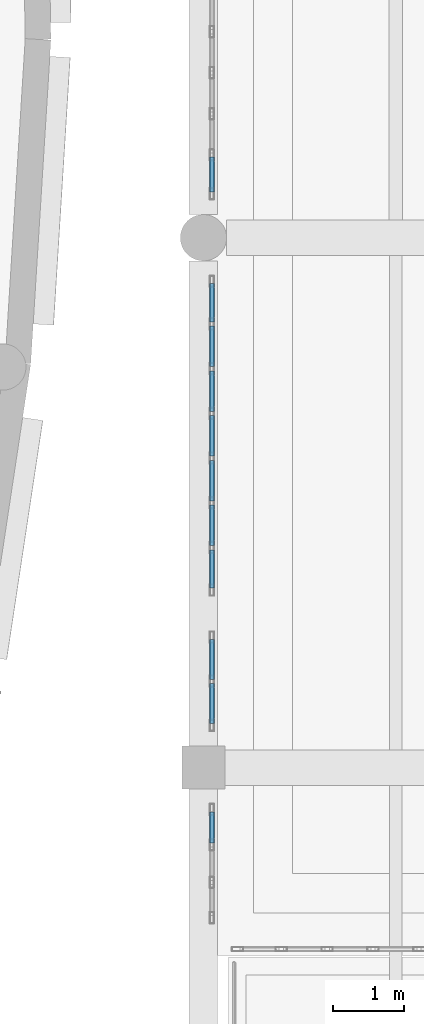
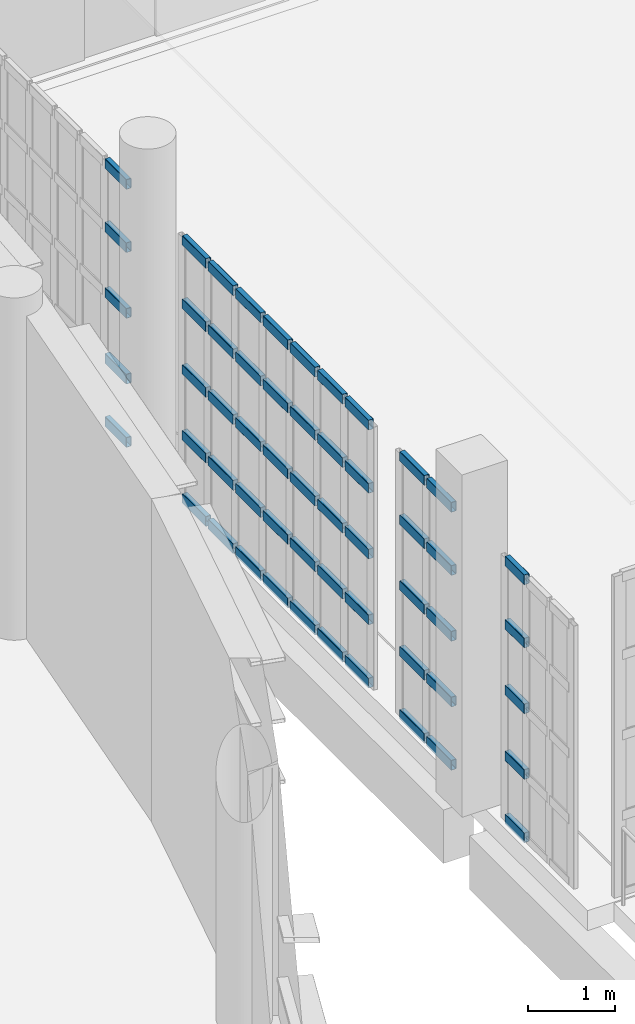
# One storey, part 60 of 104: 55 members, 4 elements without a shape of their own.
"""IFC4 building model written with IfcOpenShell, lengths in metres."""

from ifc_helpers import new_model, si_unit, direction, frame, origin, origin_2d, place, context, subcontext, project, spatial, hollow_rectangle, extrude, material, material_profile, profile_set, type_object, element, aggregate, save


model = new_model("IFC4")

# Units and contexts
model_context = context("Model", 3, precision=1e-05, world=origin(), true_north=direction((0.0, 1.0)))
body_context = subcontext(model_context, "Body", "Model", "MODEL_VIEW")
ifc_project = project(units=[si_unit("LENGTHUNIT", "METRE"), si_unit("AREAUNIT", "SQUARE_METRE"), si_unit("VOLUMEUNIT", "CUBIC_METRE"), si_unit("PLANEANGLEUNIT", "RADIAN"), si_unit("MASSUNIT", "GRAM", prefix="KILO")], contexts=[model_context])

# Site, building, storey
site_placement = place(None, origin())
site = spatial("IfcSite", under=ifc_project, at=site_placement, CompositionType="ELEMENT")
building_placement = place(site_placement, origin())
building = spatial("IfcBuilding", under=site, at=building_placement, Name="Kaelora Sail Theatre", CompositionType="ELEMENT")
storey_placement = place(building_placement, frame((0.0, 0.0, 5.39990234375)))
storey = spatial("IfcBuildingStorey", under=building, at=storey_placement, Name="L01", CompositionType="ELEMENT", Elevation=5.39990234375)

# Curtain wall, members
ifc_material_1 = material(Name="Anodised aluminium and solar-control low-E IGU", Category="aluminium")
curtain_wall_type = type_object("IfcCurtainWallType", Name="ARC-CW-CW-PROW", PredefinedType="NOTDEFINED", material=ifc_material_1)
curtain_wall_1_placement = place(storey_placement, origin())
curtain_wall_1 = element("IfcCurtainWall", 1, at=curtain_wall_1_placement, inside=storey, type_object=curtain_wall_type, Name="East Interstitial Foyer West Glazed Return L01-01", PredefinedType="NOTDEFINED")
ifc_material_2 = material(Name="Anodised aluminium 6063-T6", Category="aluminium")
ifc_material_profile = material_profile(ifc_material_2, hollow_rectangle(XDim=0.070068359375, YDim=0.139892578125, WallThickness=0.00390625, InnerFilletRadius=0.00390625, OuterFilletRadius=0.008056640625, at=origin_2d()), Name="ALU-TRAN 70x140x4")
ifc_profile_set = profile_set([ifc_material_profile], Name="Anodised aluminium 6063-T6")
member_type = type_object("IfcMemberType", Name="ARC-MEM-TR-140", PredefinedType="USERDEFINED", material=ifc_profile_set)
member_1_placement = place(storey_placement, frame((106.919921875, 45.083251953125, 0.03515625), z_axis=(0.0, 1.0, 0.0), x_axis=(-1.0, 0.0, 0.0)))
member_1 = element("IfcMember", 2, at=member_1_placement, type_object=member_type, Name="CW-PROW transom 3.1", ObjectType="TRANSOM", PredefinedType="USERDEFINED", context=body_context, shape_type="SweptSolid", body=[
    extrude(hollow_rectangle(XDim=0.070068359375, YDim=0.139892578125, WallThickness=0.00390625, InnerFilletRadius=0.00390625, OuterFilletRadius=0.008056640625, at=origin_2d()), origin(), (0.0, 0.0, 1.0), 0.436767578125),
])
member_2_placement = place(storey_placement, frame((106.919921875, 45.083251953125, 0.921875), z_axis=(0.0, 1.0, 0.0), x_axis=(-1.0, 0.0, 0.0)))
member_2 = element("IfcMember", 3, at=member_2_placement, type_object=member_type, Name="CW-PROW transom 3.2", ObjectType="TRANSOM", PredefinedType="USERDEFINED", context=body_context, shape_type="SweptSolid", body=[
    extrude(hollow_rectangle(XDim=0.070068359375, YDim=0.139892578125, WallThickness=0.00390625, InnerFilletRadius=0.00390625, OuterFilletRadius=0.008056640625, at=origin_2d()), origin(), (0.0, 0.0, 1.0), 0.436767578125),
])
member_3_placement = place(storey_placement, frame((106.919921875, 45.083251953125, 1.843505859375), z_axis=(0.0, 1.0, 0.0), x_axis=(-1.0, 0.0, 0.0)))
member_3 = element("IfcMember", 4, at=member_3_placement, type_object=member_type, Name="CW-PROW transom 3.3", ObjectType="TRANSOM", PredefinedType="USERDEFINED", context=body_context, shape_type="SweptSolid", body=[
    extrude(hollow_rectangle(XDim=0.070068359375, YDim=0.139892578125, WallThickness=0.00390625, InnerFilletRadius=0.00390625, OuterFilletRadius=0.008056640625, at=origin_2d()), origin(), (0.0, 0.0, 1.0), 0.436767578125),
])
member_4_placement = place(storey_placement, frame((106.919921875, 45.083251953125, 2.765380859375), z_axis=(0.0, 1.0, 0.0), x_axis=(-1.0, 0.0, 0.0)))
member_4 = element("IfcMember", 5, at=member_4_placement, type_object=member_type, Name="CW-PROW transom 3.4", ObjectType="TRANSOM", PredefinedType="USERDEFINED", context=body_context, shape_type="SweptSolid", body=[
    extrude(hollow_rectangle(XDim=0.070068359375, YDim=0.139892578125, WallThickness=0.00390625, InnerFilletRadius=0.00390625, OuterFilletRadius=0.008056640625, at=origin_2d()), origin(), (0.0, 0.0, 1.0), 0.436767578125),
])
member_5_placement = place(storey_placement, frame((106.919921875, 45.083251953125, 3.652099609375), z_axis=(0.0, 1.0, 0.0), x_axis=(-1.0, 0.0, 0.0)))
member_5 = element("IfcMember", 6, at=member_5_placement, type_object=member_type, Name="CW-PROW transom 3.5", ObjectType="TRANSOM", PredefinedType="USERDEFINED", context=body_context, shape_type="SweptSolid", body=[
    extrude(hollow_rectangle(XDim=0.070068359375, YDim=0.139892578125, WallThickness=0.00390625, InnerFilletRadius=0.00390625, OuterFilletRadius=0.008056640625, at=origin_2d()), origin(), (0.0, 0.0, 1.0), 0.436767578125),
])
aggregate(curtain_wall_1, [member_1, member_2, member_3, member_4, member_5])

curtain_wall_2_placement = place(storey_placement, origin())
curtain_wall_2 = element("IfcCurtainWall", 7, at=curtain_wall_2_placement, inside=storey, type_object=curtain_wall_type, Name="East Interstitial Foyer West Glazed Return L01-01", PredefinedType="NOTDEFINED")
member_6_placement = place(storey_placement, frame((106.919921875, 46.760009765625, 0.03515625), z_axis=(0.0, 1.0, 0.0), x_axis=(-1.0, 0.0, 0.0)))
member_6 = element("IfcMember", 8, at=member_6_placement, type_object=member_type, Name="CW-PROW transom 1.1", ObjectType="TRANSOM", PredefinedType="USERDEFINED", context=body_context, shape_type="SweptSolid", body=[
    extrude(hollow_rectangle(XDim=0.070068359375, YDim=0.139892578125, WallThickness=0.00390625, InnerFilletRadius=0.00390625, OuterFilletRadius=0.008056640625, at=origin_2d()), origin(), (0.0, 0.0, 1.0), 0.56005859375),
])
member_7_placement = place(storey_placement, frame((106.919921875, 46.760009765625, 0.921875), z_axis=(0.0, 1.0, 0.0), x_axis=(-1.0, 0.0, 0.0)))
member_7 = element("IfcMember", 9, at=member_7_placement, type_object=member_type, Name="CW-PROW transom 1.2", ObjectType="TRANSOM", PredefinedType="USERDEFINED", context=body_context, shape_type="SweptSolid", body=[
    extrude(hollow_rectangle(XDim=0.070068359375, YDim=0.139892578125, WallThickness=0.00390625, InnerFilletRadius=0.00390625, OuterFilletRadius=0.008056640625, at=origin_2d()), origin(), (0.0, 0.0, 1.0), 0.56005859375),
])
member_8_placement = place(storey_placement, frame((106.919921875, 46.760009765625, 1.843505859375), z_axis=(0.0, 1.0, 0.0), x_axis=(-1.0, 0.0, 0.0)))
member_8 = element("IfcMember", 10, at=member_8_placement, type_object=member_type, Name="CW-PROW transom 1.3", ObjectType="TRANSOM", PredefinedType="USERDEFINED", context=body_context, shape_type="SweptSolid", body=[
    extrude(hollow_rectangle(XDim=0.070068359375, YDim=0.139892578125, WallThickness=0.00390625, InnerFilletRadius=0.00390625, OuterFilletRadius=0.008056640625, at=origin_2d()), origin(), (0.0, 0.0, 1.0), 0.56005859375),
])
member_9_placement = place(storey_placement, frame((106.919921875, 46.760009765625, 2.765380859375), z_axis=(0.0, 1.0, 0.0), x_axis=(-1.0, 0.0, 0.0)))
member_9 = element("IfcMember", 11, at=member_9_placement, type_object=member_type, Name="CW-PROW transom 1.4", ObjectType="TRANSOM", PredefinedType="USERDEFINED", context=body_context, shape_type="SweptSolid", body=[
    extrude(hollow_rectangle(XDim=0.070068359375, YDim=0.139892578125, WallThickness=0.00390625, InnerFilletRadius=0.00390625, OuterFilletRadius=0.008056640625, at=origin_2d()), origin(), (0.0, 0.0, 1.0), 0.56005859375),
])
member_10_placement = place(storey_placement, frame((106.919921875, 46.760009765625, 3.652099609375), z_axis=(0.0, 1.0, 0.0), x_axis=(-1.0, 0.0, 0.0)))
member_10 = element("IfcMember", 12, at=member_10_placement, type_object=member_type, Name="CW-PROW transom 1.5", ObjectType="TRANSOM", PredefinedType="USERDEFINED", context=body_context, shape_type="SweptSolid", body=[
    extrude(hollow_rectangle(XDim=0.070068359375, YDim=0.139892578125, WallThickness=0.00390625, InnerFilletRadius=0.00390625, OuterFilletRadius=0.008056640625, at=origin_2d()), origin(), (0.0, 0.0, 1.0), 0.56005859375),
])
member_11_placement = place(storey_placement, frame((106.919921875, 47.3798828125, 0.03515625), z_axis=(0.0, 1.0, 0.0), x_axis=(-1.0, 0.0, 0.0)))
member_11 = element("IfcMember", 13, at=member_11_placement, type_object=member_type, Name="CW-PROW transom 2.1", ObjectType="TRANSOM", PredefinedType="USERDEFINED", context=body_context, shape_type="SweptSolid", body=[
    extrude(hollow_rectangle(XDim=0.070068359375, YDim=0.139892578125, WallThickness=0.00390625, InnerFilletRadius=0.00390625, OuterFilletRadius=0.008056640625, at=origin_2d()), origin(), (0.0, 0.0, 1.0), 0.56005859375),
])
member_12_placement = place(storey_placement, frame((106.919921875, 47.3798828125, 0.921875), z_axis=(0.0, 1.0, 0.0), x_axis=(-1.0, 0.0, 0.0)))
member_12 = element("IfcMember", 14, at=member_12_placement, type_object=member_type, Name="CW-PROW transom 2.2", ObjectType="TRANSOM", PredefinedType="USERDEFINED", context=body_context, shape_type="SweptSolid", body=[
    extrude(hollow_rectangle(XDim=0.070068359375, YDim=0.139892578125, WallThickness=0.00390625, InnerFilletRadius=0.00390625, OuterFilletRadius=0.008056640625, at=origin_2d()), origin(), (0.0, 0.0, 1.0), 0.56005859375),
])
member_13_placement = place(storey_placement, frame((106.919921875, 47.3798828125, 1.843505859375), z_axis=(0.0, 1.0, 0.0), x_axis=(-1.0, 0.0, 0.0)))
member_13 = element("IfcMember", 15, at=member_13_placement, type_object=member_type, Name="CW-PROW transom 2.3", ObjectType="TRANSOM", PredefinedType="USERDEFINED", context=body_context, shape_type="SweptSolid", body=[
    extrude(hollow_rectangle(XDim=0.070068359375, YDim=0.139892578125, WallThickness=0.00390625, InnerFilletRadius=0.00390625, OuterFilletRadius=0.008056640625, at=origin_2d()), origin(), (0.0, 0.0, 1.0), 0.56005859375),
])
member_14_placement = place(storey_placement, frame((106.919921875, 47.3798828125, 2.765380859375), z_axis=(0.0, 1.0, 0.0), x_axis=(-1.0, 0.0, 0.0)))
member_14 = element("IfcMember", 16, at=member_14_placement, type_object=member_type, Name="CW-PROW transom 2.4", ObjectType="TRANSOM", PredefinedType="USERDEFINED", context=body_context, shape_type="SweptSolid", body=[
    extrude(hollow_rectangle(XDim=0.070068359375, YDim=0.139892578125, WallThickness=0.00390625, InnerFilletRadius=0.00390625, OuterFilletRadius=0.008056640625, at=origin_2d()), origin(), (0.0, 0.0, 1.0), 0.56005859375),
])
member_15_placement = place(storey_placement, frame((106.919921875, 47.3798828125, 3.652099609375), z_axis=(0.0, 1.0, 0.0), x_axis=(-1.0, 0.0, 0.0)))
member_15 = element("IfcMember", 17, at=member_15_placement, type_object=member_type, Name="CW-PROW transom 2.5", ObjectType="TRANSOM", PredefinedType="USERDEFINED", context=body_context, shape_type="SweptSolid", body=[
    extrude(hollow_rectangle(XDim=0.070068359375, YDim=0.139892578125, WallThickness=0.00390625, InnerFilletRadius=0.00390625, OuterFilletRadius=0.008056640625, at=origin_2d()), origin(), (0.0, 0.0, 1.0), 0.56005859375),
])
aggregate(curtain_wall_2, [member_6, member_7, member_8, member_9, member_10, member_11, member_12, member_13, member_14, member_15])

curtain_wall_3_placement = place(storey_placement, origin())
curtain_wall_3 = element("IfcCurtainWall", 18, at=curtain_wall_3_placement, inside=storey, type_object=curtain_wall_type, Name="East Interstitial Foyer West Glazed Return L01-02", PredefinedType="NOTDEFINED")
member_16_placement = place(storey_placement, frame((106.919921875, 48.659912109375, 0.03515625), z_axis=(0.0, 1.0, 0.0), x_axis=(-1.0, 0.0, 0.0)))
member_16 = element("IfcMember", 19, at=member_16_placement, type_object=member_type, Name="CW-PROW transom 1.1", ObjectType="TRANSOM", PredefinedType="USERDEFINED", context=body_context, shape_type="SweptSolid", body=[
    extrude(hollow_rectangle(XDim=0.070068359375, YDim=0.139892578125, WallThickness=0.00390625, InnerFilletRadius=0.00390625, OuterFilletRadius=0.008056640625, at=origin_2d()), origin(), (0.0, 0.0, 1.0), 0.537841796875),
])
member_17_placement = place(storey_placement, frame((106.919921875, 48.659912109375, 0.921875), z_axis=(0.0, 1.0, 0.0), x_axis=(-1.0, 0.0, 0.0)))
member_17 = element("IfcMember", 20, at=member_17_placement, type_object=member_type, Name="CW-PROW transom 1.2", ObjectType="TRANSOM", PredefinedType="USERDEFINED", context=body_context, shape_type="SweptSolid", body=[
    extrude(hollow_rectangle(XDim=0.070068359375, YDim=0.139892578125, WallThickness=0.00390625, InnerFilletRadius=0.00390625, OuterFilletRadius=0.008056640625, at=origin_2d()), origin(), (0.0, 0.0, 1.0), 0.537841796875),
])
member_18_placement = place(storey_placement, frame((106.919921875, 48.659912109375, 1.843505859375), z_axis=(0.0, 1.0, 0.0), x_axis=(-1.0, 0.0, 0.0)))
member_18 = element("IfcMember", 21, at=member_18_placement, type_object=member_type, Name="CW-PROW transom 1.3", ObjectType="TRANSOM", PredefinedType="USERDEFINED", context=body_context, shape_type="SweptSolid", body=[
    extrude(hollow_rectangle(XDim=0.070068359375, YDim=0.139892578125, WallThickness=0.00390625, InnerFilletRadius=0.00390625, OuterFilletRadius=0.008056640625, at=origin_2d()), origin(), (0.0, 0.0, 1.0), 0.537841796875),
])
member_19_placement = place(storey_placement, frame((106.919921875, 48.659912109375, 2.765380859375), z_axis=(0.0, 1.0, 0.0), x_axis=(-1.0, 0.0, 0.0)))
member_19 = element("IfcMember", 22, at=member_19_placement, type_object=member_type, Name="CW-PROW transom 1.4", ObjectType="TRANSOM", PredefinedType="USERDEFINED", context=body_context, shape_type="SweptSolid", body=[
    extrude(hollow_rectangle(XDim=0.070068359375, YDim=0.139892578125, WallThickness=0.00390625, InnerFilletRadius=0.00390625, OuterFilletRadius=0.008056640625, at=origin_2d()), origin(), (0.0, 0.0, 1.0), 0.537841796875),
])
member_20_placement = place(storey_placement, frame((106.919921875, 48.659912109375, 3.652099609375), z_axis=(0.0, 1.0, 0.0), x_axis=(-1.0, 0.0, 0.0)))
member_20 = element("IfcMember", 23, at=member_20_placement, type_object=member_type, Name="CW-PROW transom 1.5", ObjectType="TRANSOM", PredefinedType="USERDEFINED", context=body_context, shape_type="SweptSolid", body=[
    extrude(hollow_rectangle(XDim=0.070068359375, YDim=0.139892578125, WallThickness=0.00390625, InnerFilletRadius=0.00390625, OuterFilletRadius=0.008056640625, at=origin_2d()), origin(), (0.0, 0.0, 1.0), 0.537841796875),
])
member_21_placement = place(storey_placement, frame((106.919921875, 49.2578125, 0.03515625), z_axis=(0.0, 1.0, 0.0), x_axis=(-1.0, 0.0, 0.0)))
member_21 = element("IfcMember", 24, at=member_21_placement, type_object=member_type, Name="CW-PROW transom 2.1", ObjectType="TRANSOM", PredefinedType="USERDEFINED", context=body_context, shape_type="SweptSolid", body=[
    extrude(hollow_rectangle(XDim=0.070068359375, YDim=0.139892578125, WallThickness=0.00390625, InnerFilletRadius=0.00390625, OuterFilletRadius=0.008056640625, at=origin_2d()), origin(), (0.0, 0.0, 1.0), 0.56787109375),
])
member_22_placement = place(storey_placement, frame((106.919921875, 49.2578125, 0.921875), z_axis=(0.0, 1.0, 0.0), x_axis=(-1.0, 0.0, 0.0)))
member_22 = element("IfcMember", 25, at=member_22_placement, type_object=member_type, Name="CW-PROW transom 2.2", ObjectType="TRANSOM", PredefinedType="USERDEFINED", context=body_context, shape_type="SweptSolid", body=[
    extrude(hollow_rectangle(XDim=0.070068359375, YDim=0.139892578125, WallThickness=0.00390625, InnerFilletRadius=0.00390625, OuterFilletRadius=0.008056640625, at=origin_2d()), origin(), (0.0, 0.0, 1.0), 0.56787109375),
])
member_23_placement = place(storey_placement, frame((106.919921875, 49.2578125, 1.843505859375), z_axis=(0.0, 1.0, 0.0), x_axis=(-1.0, 0.0, 0.0)))
member_23 = element("IfcMember", 26, at=member_23_placement, type_object=member_type, Name="CW-PROW transom 2.3", ObjectType="TRANSOM", PredefinedType="USERDEFINED", context=body_context, shape_type="SweptSolid", body=[
    extrude(hollow_rectangle(XDim=0.070068359375, YDim=0.139892578125, WallThickness=0.00390625, InnerFilletRadius=0.00390625, OuterFilletRadius=0.008056640625, at=origin_2d()), origin(), (0.0, 0.0, 1.0), 0.56787109375),
])
member_24_placement = place(storey_placement, frame((106.919921875, 49.2578125, 2.765380859375), z_axis=(0.0, 1.0, 0.0), x_axis=(-1.0, 0.0, 0.0)))
member_24 = element("IfcMember", 27, at=member_24_placement, type_object=member_type, Name="CW-PROW transom 2.4", ObjectType="TRANSOM", PredefinedType="USERDEFINED", context=body_context, shape_type="SweptSolid", body=[
    extrude(hollow_rectangle(XDim=0.070068359375, YDim=0.139892578125, WallThickness=0.00390625, InnerFilletRadius=0.00390625, OuterFilletRadius=0.008056640625, at=origin_2d()), origin(), (0.0, 0.0, 1.0), 0.56787109375),
])
member_25_placement = place(storey_placement, frame((106.919921875, 49.2578125, 3.652099609375), z_axis=(0.0, 1.0, 0.0), x_axis=(-1.0, 0.0, 0.0)))
member_25 = element("IfcMember", 28, at=member_25_placement, type_object=member_type, Name="CW-PROW transom 2.5", ObjectType="TRANSOM", PredefinedType="USERDEFINED", context=body_context, shape_type="SweptSolid", body=[
    extrude(hollow_rectangle(XDim=0.070068359375, YDim=0.139892578125, WallThickness=0.00390625, InnerFilletRadius=0.00390625, OuterFilletRadius=0.008056640625, at=origin_2d()), origin(), (0.0, 0.0, 1.0), 0.56787109375),
])
member_26_placement = place(storey_placement, frame((106.919921875, 49.8857421875, 0.03515625), z_axis=(0.0, 1.0, 0.0), x_axis=(-1.0, 0.0, 0.0)))
member_26 = element("IfcMember", 29, at=member_26_placement, type_object=member_type, Name="CW-PROW transom 3.1", ObjectType="TRANSOM", PredefinedType="USERDEFINED", context=body_context, shape_type="SweptSolid", body=[
    extrude(hollow_rectangle(XDim=0.070068359375, YDim=0.139892578125, WallThickness=0.00390625, InnerFilletRadius=0.00390625, OuterFilletRadius=0.008056640625, at=origin_2d()), origin(), (0.0, 0.0, 1.0), 0.56787109375),
])
member_27_placement = place(storey_placement, frame((106.919921875, 49.8857421875, 0.921875), z_axis=(0.0, 1.0, 0.0), x_axis=(-1.0, 0.0, 0.0)))
member_27 = element("IfcMember", 30, at=member_27_placement, type_object=member_type, Name="CW-PROW transom 3.2", ObjectType="TRANSOM", PredefinedType="USERDEFINED", context=body_context, shape_type="SweptSolid", body=[
    extrude(hollow_rectangle(XDim=0.070068359375, YDim=0.139892578125, WallThickness=0.00390625, InnerFilletRadius=0.00390625, OuterFilletRadius=0.008056640625, at=origin_2d()), origin(), (0.0, 0.0, 1.0), 0.56787109375),
])
member_28_placement = place(storey_placement, frame((106.919921875, 49.8857421875, 1.843505859375), z_axis=(0.0, 1.0, 0.0), x_axis=(-1.0, 0.0, 0.0)))
member_28 = element("IfcMember", 31, at=member_28_placement, type_object=member_type, Name="CW-PROW transom 3.3", ObjectType="TRANSOM", PredefinedType="USERDEFINED", context=body_context, shape_type="SweptSolid", body=[
    extrude(hollow_rectangle(XDim=0.070068359375, YDim=0.139892578125, WallThickness=0.00390625, InnerFilletRadius=0.00390625, OuterFilletRadius=0.008056640625, at=origin_2d()), origin(), (0.0, 0.0, 1.0), 0.56787109375),
])
member_29_placement = place(storey_placement, frame((106.919921875, 49.8857421875, 2.765380859375), z_axis=(0.0, 1.0, 0.0), x_axis=(-1.0, 0.0, 0.0)))
member_29 = element("IfcMember", 32, at=member_29_placement, type_object=member_type, Name="CW-PROW transom 3.4", ObjectType="TRANSOM", PredefinedType="USERDEFINED", context=body_context, shape_type="SweptSolid", body=[
    extrude(hollow_rectangle(XDim=0.070068359375, YDim=0.139892578125, WallThickness=0.00390625, InnerFilletRadius=0.00390625, OuterFilletRadius=0.008056640625, at=origin_2d()), origin(), (0.0, 0.0, 1.0), 0.56787109375),
])
member_30_placement = place(storey_placement, frame((106.919921875, 49.8857421875, 3.652099609375), z_axis=(0.0, 1.0, 0.0), x_axis=(-1.0, 0.0, 0.0)))
member_30 = element("IfcMember", 33, at=member_30_placement, type_object=member_type, Name="CW-PROW transom 3.5", ObjectType="TRANSOM", PredefinedType="USERDEFINED", context=body_context, shape_type="SweptSolid", body=[
    extrude(hollow_rectangle(XDim=0.070068359375, YDim=0.139892578125, WallThickness=0.00390625, InnerFilletRadius=0.00390625, OuterFilletRadius=0.008056640625, at=origin_2d()), origin(), (0.0, 0.0, 1.0), 0.56787109375),
])
member_31_placement = place(storey_placement, frame((106.919921875, 50.513671875, 0.03515625), z_axis=(0.0, 1.0, 0.0), x_axis=(-1.0, 0.0, 0.0)))
member_31 = element("IfcMember", 34, at=member_31_placement, type_object=member_type, Name="CW-PROW transom 4.1", ObjectType="TRANSOM", PredefinedType="USERDEFINED", context=body_context, shape_type="SweptSolid", body=[
    extrude(hollow_rectangle(XDim=0.070068359375, YDim=0.139892578125, WallThickness=0.00390625, InnerFilletRadius=0.00390625, OuterFilletRadius=0.008056640625, at=origin_2d()), origin(), (0.0, 0.0, 1.0), 0.56787109375),
])
member_32_placement = place(storey_placement, frame((106.919921875, 50.513671875, 0.921875), z_axis=(0.0, 1.0, 0.0), x_axis=(-1.0, 0.0, 0.0)))
member_32 = element("IfcMember", 35, at=member_32_placement, type_object=member_type, Name="CW-PROW transom 4.2", ObjectType="TRANSOM", PredefinedType="USERDEFINED", context=body_context, shape_type="SweptSolid", body=[
    extrude(hollow_rectangle(XDim=0.070068359375, YDim=0.139892578125, WallThickness=0.00390625, InnerFilletRadius=0.00390625, OuterFilletRadius=0.008056640625, at=origin_2d()), origin(), (0.0, 0.0, 1.0), 0.56787109375),
])
member_33_placement = place(storey_placement, frame((106.919921875, 50.513671875, 1.843505859375), z_axis=(0.0, 1.0, 0.0), x_axis=(-1.0, 0.0, 0.0)))
member_33 = element("IfcMember", 36, at=member_33_placement, type_object=member_type, Name="CW-PROW transom 4.3", ObjectType="TRANSOM", PredefinedType="USERDEFINED", context=body_context, shape_type="SweptSolid", body=[
    extrude(hollow_rectangle(XDim=0.070068359375, YDim=0.139892578125, WallThickness=0.00390625, InnerFilletRadius=0.00390625, OuterFilletRadius=0.008056640625, at=origin_2d()), origin(), (0.0, 0.0, 1.0), 0.56787109375),
])
member_34_placement = place(storey_placement, frame((106.919921875, 50.513671875, 2.765380859375), z_axis=(0.0, 1.0, 0.0), x_axis=(-1.0, 0.0, 0.0)))
member_34 = element("IfcMember", 37, at=member_34_placement, type_object=member_type, Name="CW-PROW transom 4.4", ObjectType="TRANSOM", PredefinedType="USERDEFINED", context=body_context, shape_type="SweptSolid", body=[
    extrude(hollow_rectangle(XDim=0.070068359375, YDim=0.139892578125, WallThickness=0.00390625, InnerFilletRadius=0.00390625, OuterFilletRadius=0.008056640625, at=origin_2d()), origin(), (0.0, 0.0, 1.0), 0.56787109375),
])
member_35_placement = place(storey_placement, frame((106.919921875, 50.513671875, 3.652099609375), z_axis=(0.0, 1.0, 0.0), x_axis=(-1.0, 0.0, 0.0)))
member_35 = element("IfcMember", 38, at=member_35_placement, type_object=member_type, Name="CW-PROW transom 4.5", ObjectType="TRANSOM", PredefinedType="USERDEFINED", context=body_context, shape_type="SweptSolid", body=[
    extrude(hollow_rectangle(XDim=0.070068359375, YDim=0.139892578125, WallThickness=0.00390625, InnerFilletRadius=0.00390625, OuterFilletRadius=0.008056640625, at=origin_2d()), origin(), (0.0, 0.0, 1.0), 0.56787109375),
])
member_36_placement = place(storey_placement, frame((106.919921875, 51.141357421875, 0.03515625), z_axis=(0.0, 1.0, 0.0), x_axis=(-1.0, 0.0, 0.0)))
member_36 = element("IfcMember", 39, at=member_36_placement, type_object=member_type, Name="CW-PROW transom 5.1", ObjectType="TRANSOM", PredefinedType="USERDEFINED", context=body_context, shape_type="SweptSolid", body=[
    extrude(hollow_rectangle(XDim=0.070068359375, YDim=0.139892578125, WallThickness=0.00390625, InnerFilletRadius=0.00390625, OuterFilletRadius=0.008056640625, at=origin_2d()), origin(), (0.0, 0.0, 1.0), 0.56787109375),
])
member_37_placement = place(storey_placement, frame((106.919921875, 51.141357421875, 0.921875), z_axis=(0.0, 1.0, 0.0), x_axis=(-1.0, 0.0, 0.0)))
member_37 = element("IfcMember", 40, at=member_37_placement, type_object=member_type, Name="CW-PROW transom 5.2", ObjectType="TRANSOM", PredefinedType="USERDEFINED", context=body_context, shape_type="SweptSolid", body=[
    extrude(hollow_rectangle(XDim=0.070068359375, YDim=0.139892578125, WallThickness=0.00390625, InnerFilletRadius=0.00390625, OuterFilletRadius=0.008056640625, at=origin_2d()), origin(), (0.0, 0.0, 1.0), 0.56787109375),
])
member_38_placement = place(storey_placement, frame((106.919921875, 51.141357421875, 1.843505859375), z_axis=(0.0, 1.0, 0.0), x_axis=(-1.0, 0.0, 0.0)))
member_38 = element("IfcMember", 41, at=member_38_placement, type_object=member_type, Name="CW-PROW transom 5.3", ObjectType="TRANSOM", PredefinedType="USERDEFINED", context=body_context, shape_type="SweptSolid", body=[
    extrude(hollow_rectangle(XDim=0.070068359375, YDim=0.139892578125, WallThickness=0.00390625, InnerFilletRadius=0.00390625, OuterFilletRadius=0.008056640625, at=origin_2d()), origin(), (0.0, 0.0, 1.0), 0.56787109375),
])
member_39_placement = place(storey_placement, frame((106.919921875, 51.141357421875, 2.765380859375), z_axis=(0.0, 1.0, 0.0), x_axis=(-1.0, 0.0, 0.0)))
member_39 = element("IfcMember", 42, at=member_39_placement, type_object=member_type, Name="CW-PROW transom 5.4", ObjectType="TRANSOM", PredefinedType="USERDEFINED", context=body_context, shape_type="SweptSolid", body=[
    extrude(hollow_rectangle(XDim=0.070068359375, YDim=0.139892578125, WallThickness=0.00390625, InnerFilletRadius=0.00390625, OuterFilletRadius=0.008056640625, at=origin_2d()), origin(), (0.0, 0.0, 1.0), 0.56787109375),
])
member_40_placement = place(storey_placement, frame((106.919921875, 51.141357421875, 3.652099609375), z_axis=(0.0, 1.0, 0.0), x_axis=(-1.0, 0.0, 0.0)))
member_40 = element("IfcMember", 43, at=member_40_placement, type_object=member_type, Name="CW-PROW transom 5.5", ObjectType="TRANSOM", PredefinedType="USERDEFINED", context=body_context, shape_type="SweptSolid", body=[
    extrude(hollow_rectangle(XDim=0.070068359375, YDim=0.139892578125, WallThickness=0.00390625, InnerFilletRadius=0.00390625, OuterFilletRadius=0.008056640625, at=origin_2d()), origin(), (0.0, 0.0, 1.0), 0.56787109375),
])
member_41_placement = place(storey_placement, frame((106.919921875, 51.769287109375, 0.03515625), z_axis=(0.0, 1.0, 0.0), x_axis=(-1.0, 0.0, 0.0)))
member_41 = element("IfcMember", 44, at=member_41_placement, type_object=member_type, Name="CW-PROW transom 6.1", ObjectType="TRANSOM", PredefinedType="USERDEFINED", context=body_context, shape_type="SweptSolid", body=[
    extrude(hollow_rectangle(XDim=0.070068359375, YDim=0.139892578125, WallThickness=0.00390625, InnerFilletRadius=0.00390625, OuterFilletRadius=0.008056640625, at=origin_2d()), origin(), (0.0, 0.0, 1.0), 0.56787109375),
])
member_42_placement = place(storey_placement, frame((106.919921875, 51.769287109375, 0.921875), z_axis=(0.0, 1.0, 0.0), x_axis=(-1.0, 0.0, 0.0)))
member_42 = element("IfcMember", 45, at=member_42_placement, type_object=member_type, Name="CW-PROW transom 6.2", ObjectType="TRANSOM", PredefinedType="USERDEFINED", context=body_context, shape_type="SweptSolid", body=[
    extrude(hollow_rectangle(XDim=0.070068359375, YDim=0.139892578125, WallThickness=0.00390625, InnerFilletRadius=0.00390625, OuterFilletRadius=0.008056640625, at=origin_2d()), origin(), (0.0, 0.0, 1.0), 0.56787109375),
])
member_43_placement = place(storey_placement, frame((106.919921875, 51.769287109375, 1.843505859375), z_axis=(0.0, 1.0, 0.0), x_axis=(-1.0, 0.0, 0.0)))
member_43 = element("IfcMember", 46, at=member_43_placement, type_object=member_type, Name="CW-PROW transom 6.3", ObjectType="TRANSOM", PredefinedType="USERDEFINED", context=body_context, shape_type="SweptSolid", body=[
    extrude(hollow_rectangle(XDim=0.070068359375, YDim=0.139892578125, WallThickness=0.00390625, InnerFilletRadius=0.00390625, OuterFilletRadius=0.008056640625, at=origin_2d()), origin(), (0.0, 0.0, 1.0), 0.56787109375),
])
member_44_placement = place(storey_placement, frame((106.919921875, 51.769287109375, 2.765380859375), z_axis=(0.0, 1.0, 0.0), x_axis=(-1.0, 0.0, 0.0)))
member_44 = element("IfcMember", 47, at=member_44_placement, type_object=member_type, Name="CW-PROW transom 6.4", ObjectType="TRANSOM", PredefinedType="USERDEFINED", context=body_context, shape_type="SweptSolid", body=[
    extrude(hollow_rectangle(XDim=0.070068359375, YDim=0.139892578125, WallThickness=0.00390625, InnerFilletRadius=0.00390625, OuterFilletRadius=0.008056640625, at=origin_2d()), origin(), (0.0, 0.0, 1.0), 0.56787109375),
])
member_45_placement = place(storey_placement, frame((106.919921875, 51.769287109375, 3.652099609375), z_axis=(0.0, 1.0, 0.0), x_axis=(-1.0, 0.0, 0.0)))
member_45 = element("IfcMember", 48, at=member_45_placement, type_object=member_type, Name="CW-PROW transom 6.5", ObjectType="TRANSOM", PredefinedType="USERDEFINED", context=body_context, shape_type="SweptSolid", body=[
    extrude(hollow_rectangle(XDim=0.070068359375, YDim=0.139892578125, WallThickness=0.00390625, InnerFilletRadius=0.00390625, OuterFilletRadius=0.008056640625, at=origin_2d()), origin(), (0.0, 0.0, 1.0), 0.56787109375),
])
member_46_placement = place(storey_placement, frame((106.919921875, 52.397216796875, 0.03515625), z_axis=(0.0, 1.0, 0.0), x_axis=(-1.0, 0.0, 0.0)))
member_46 = element("IfcMember", 49, at=member_46_placement, type_object=member_type, Name="CW-PROW transom 7.1", ObjectType="TRANSOM", PredefinedType="USERDEFINED", context=body_context, shape_type="SweptSolid", body=[
    extrude(hollow_rectangle(XDim=0.070068359375, YDim=0.139892578125, WallThickness=0.00390625, InnerFilletRadius=0.00390625, OuterFilletRadius=0.008056640625, at=origin_2d()), origin(), (0.0, 0.0, 1.0), 0.537841796875),
])
member_47_placement = place(storey_placement, frame((106.919921875, 52.397216796875, 0.921875), z_axis=(0.0, 1.0, 0.0), x_axis=(-1.0, 0.0, 0.0)))
member_47 = element("IfcMember", 50, at=member_47_placement, type_object=member_type, Name="CW-PROW transom 7.2", ObjectType="TRANSOM", PredefinedType="USERDEFINED", context=body_context, shape_type="SweptSolid", body=[
    extrude(hollow_rectangle(XDim=0.070068359375, YDim=0.139892578125, WallThickness=0.00390625, InnerFilletRadius=0.00390625, OuterFilletRadius=0.008056640625, at=origin_2d()), origin(), (0.0, 0.0, 1.0), 0.537841796875),
])
member_48_placement = place(storey_placement, frame((106.919921875, 52.397216796875, 1.843505859375), z_axis=(0.0, 1.0, 0.0), x_axis=(-1.0, 0.0, 0.0)))
member_48 = element("IfcMember", 51, at=member_48_placement, type_object=member_type, Name="CW-PROW transom 7.3", ObjectType="TRANSOM", PredefinedType="USERDEFINED", context=body_context, shape_type="SweptSolid", body=[
    extrude(hollow_rectangle(XDim=0.070068359375, YDim=0.139892578125, WallThickness=0.00390625, InnerFilletRadius=0.00390625, OuterFilletRadius=0.008056640625, at=origin_2d()), origin(), (0.0, 0.0, 1.0), 0.537841796875),
])
member_49_placement = place(storey_placement, frame((106.919921875, 52.397216796875, 2.765380859375), z_axis=(0.0, 1.0, 0.0), x_axis=(-1.0, 0.0, 0.0)))
member_49 = element("IfcMember", 52, at=member_49_placement, type_object=member_type, Name="CW-PROW transom 7.4", ObjectType="TRANSOM", PredefinedType="USERDEFINED", context=body_context, shape_type="SweptSolid", body=[
    extrude(hollow_rectangle(XDim=0.070068359375, YDim=0.139892578125, WallThickness=0.00390625, InnerFilletRadius=0.00390625, OuterFilletRadius=0.008056640625, at=origin_2d()), origin(), (0.0, 0.0, 1.0), 0.537841796875),
])
member_50_placement = place(storey_placement, frame((106.919921875, 52.397216796875, 3.652099609375), z_axis=(0.0, 1.0, 0.0), x_axis=(-1.0, 0.0, 0.0)))
member_50 = element("IfcMember", 53, at=member_50_placement, type_object=member_type, Name="CW-PROW transom 7.5", ObjectType="TRANSOM", PredefinedType="USERDEFINED", context=body_context, shape_type="SweptSolid", body=[
    extrude(hollow_rectangle(XDim=0.070068359375, YDim=0.139892578125, WallThickness=0.00390625, InnerFilletRadius=0.00390625, OuterFilletRadius=0.008056640625, at=origin_2d()), origin(), (0.0, 0.0, 1.0), 0.537841796875),
])
aggregate(curtain_wall_3, [member_16, member_17, member_18, member_19, member_20, member_21, member_22, member_23, member_24, member_25, member_26, member_27, member_28, member_29, member_30, member_31, member_32, member_33, member_34, member_35, member_36, member_37, member_38, member_39, member_40, member_41, member_42, member_43, member_44, member_45, member_46, member_47, member_48, member_49, member_50])

curtain_wall_4_placement = place(storey_placement, origin())
curtain_wall_4 = element("IfcCurtainWall", 54, at=curtain_wall_4_placement, inside=storey, type_object=curtain_wall_type, Name="East Interstitial Foyer West Glazed Return L01-03", PredefinedType="NOTDEFINED")
member_51_placement = place(storey_placement, frame((106.919921875, 54.22509765625, 0.03515625), z_axis=(0.0, 1.0, 0.0), x_axis=(-1.0, 0.0, 0.0)))
member_51 = element("IfcMember", 55, at=member_51_placement, type_object=member_type, Name="CW-PROW transom 1.1", ObjectType="TRANSOM", PredefinedType="USERDEFINED", context=body_context, shape_type="SweptSolid", body=[
    extrude(hollow_rectangle(XDim=0.070068359375, YDim=0.139892578125, WallThickness=0.00390625, InnerFilletRadius=0.00390625, OuterFilletRadius=0.008056640625, at=origin_2d()), origin(), (0.0, 0.0, 1.0), 0.486328125),
])
member_52_placement = place(storey_placement, frame((106.919921875, 54.22509765625, 0.921875), z_axis=(0.0, 1.0, 0.0), x_axis=(-1.0, 0.0, 0.0)))
member_52 = element("IfcMember", 56, at=member_52_placement, type_object=member_type, Name="CW-PROW transom 1.2", ObjectType="TRANSOM", PredefinedType="USERDEFINED", context=body_context, shape_type="SweptSolid", body=[
    extrude(hollow_rectangle(XDim=0.070068359375, YDim=0.139892578125, WallThickness=0.00390625, InnerFilletRadius=0.00390625, OuterFilletRadius=0.008056640625, at=origin_2d()), origin(), (0.0, 0.0, 1.0), 0.486328125),
])
member_53_placement = place(storey_placement, frame((106.919921875, 54.22509765625, 1.843505859375), z_axis=(0.0, 1.0, 0.0), x_axis=(-1.0, 0.0, 0.0)))
member_53 = element("IfcMember", 57, at=member_53_placement, type_object=member_type, Name="CW-PROW transom 1.3", ObjectType="TRANSOM", PredefinedType="USERDEFINED", context=body_context, shape_type="SweptSolid", body=[
    extrude(hollow_rectangle(XDim=0.070068359375, YDim=0.139892578125, WallThickness=0.00390625, InnerFilletRadius=0.00390625, OuterFilletRadius=0.008056640625, at=origin_2d()), origin(), (0.0, 0.0, 1.0), 0.486328125),
])
member_54_placement = place(storey_placement, frame((106.919921875, 54.22509765625, 2.765380859375), z_axis=(0.0, 1.0, 0.0), x_axis=(-1.0, 0.0, 0.0)))
member_54 = element("IfcMember", 58, at=member_54_placement, type_object=member_type, Name="CW-PROW transom 1.4", ObjectType="TRANSOM", PredefinedType="USERDEFINED", context=body_context, shape_type="SweptSolid", body=[
    extrude(hollow_rectangle(XDim=0.070068359375, YDim=0.139892578125, WallThickness=0.00390625, InnerFilletRadius=0.00390625, OuterFilletRadius=0.008056640625, at=origin_2d()), origin(), (0.0, 0.0, 1.0), 0.486328125),
])
member_55_placement = place(storey_placement, frame((106.919921875, 54.22509765625, 3.652099609375), z_axis=(0.0, 1.0, 0.0), x_axis=(-1.0, 0.0, 0.0)))
member_55 = element("IfcMember", 59, at=member_55_placement, type_object=member_type, Name="CW-PROW transom 1.5", ObjectType="TRANSOM", PredefinedType="USERDEFINED", context=body_context, shape_type="SweptSolid", body=[
    extrude(hollow_rectangle(XDim=0.070068359375, YDim=0.139892578125, WallThickness=0.00390625, InnerFilletRadius=0.00390625, OuterFilletRadius=0.008056640625, at=origin_2d()), origin(), (0.0, 0.0, 1.0), 0.486328125),
])
aggregate(curtain_wall_4, [member_51, member_52, member_53, member_54, member_55])

save(model, "model.ifc")
